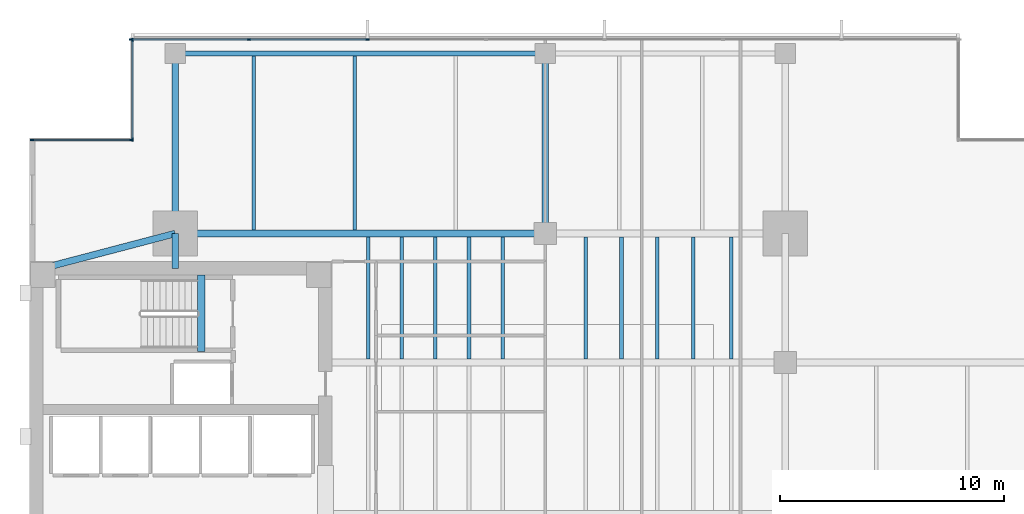
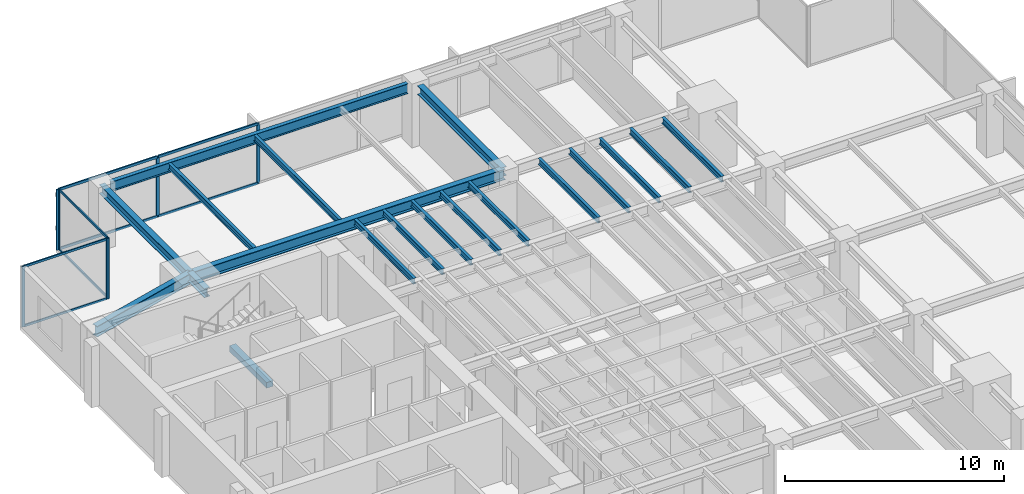
# One storey, part 5 of 14: 19 beams, 15 members, 3 elements without a shape of their own.
"""IFC4 building model written with IfcOpenShell, lengths in metres."""

from ifc_helpers import new_model, si_unit, direction, frame, origin, origin_2d, place, context, subcontext, project, spatial, rectangle, i_section, extrude, material, layer, layer_set, material_profile, profile_set, type_object, element, aggregate, save


model = new_model("IFC4")

# Units and contexts
model_context = context("Model", 3, precision=1e-05, world=origin(), true_north=direction((0.0, 1.0)))
body_context = subcontext(model_context, "Body", "Model", "MODEL_VIEW")
ifc_project = project(units=[si_unit("LENGTHUNIT", "METRE"), si_unit("AREAUNIT", "SQUARE_METRE"), si_unit("VOLUMEUNIT", "CUBIC_METRE"), si_unit("PLANEANGLEUNIT", "RADIAN"), si_unit("MASSUNIT", "GRAM", prefix="KILO")], contexts=[model_context])

# Site, building, storey
site_placement = place(None, origin())
site = spatial("IfcSite", under=ifc_project, at=site_placement, CompositionType="ELEMENT")
building_placement = place(site_placement, origin())
building = spatial("IfcBuilding", under=site, at=building_placement, Name="Kinhvarn Gate Tower", CompositionType="ELEMENT")
storey_placement = place(building_placement, frame((0.0, 0.0, 134.199951171875)))
storey = spatial("IfcBuildingStorey", under=building, at=storey_placement, Name="L35", CompositionType="ELEMENT", Elevation=134.199951171875)

# Beam
ifc_material_1 = material(Name="Concrete C50/60", Category="concrete")
ifc_material_profile_1 = material_profile(ifc_material_1, rectangle(XDim=0.340087890625, YDim=0.320068359375, at=origin_2d()), Name="RC 340x320")
ifc_profile_set_1 = profile_set([ifc_material_profile_1], Name="Concrete C50/60")
beam_type_1 = type_object("IfcBeamType", Name="BM-LND-500", PredefinedType="BEAM", material=ifc_profile_set_1)
beam_1_placement = place(storey_placement, frame((12.1650390625, 32.5, -0.159912109375), z_axis=(0.0, 1.0, 0.0), x_axis=(-1.0, 0.0, 0.0)))
element("IfcBeam", 1, at=beam_1_placement, inside=storey, type_object=beam_type_1, Name="Stair ST2 Landing Nosing Beam (L35)", PredefinedType="BEAM", context=body_context, shape_type="SweptSolid", body=[
    extrude(rectangle(XDim=0.340087890625, YDim=0.320068359375, at=origin_2d()), origin(), (0.0, 0.0, 1.0), 3.39990234375),
])

# Curtain wall, members
ifc_material_2 = material(Name="Anodised aluminium AW-6063", Category="aluminium")
ifc_layer_1 = layer(ifc_material_2, 0.179931640625)
ifc_layer_set_1 = layer_set([ifc_layer_1], Name="Anodised aluminium AW-6063")
curtain_wall_type_1 = type_object("IfcCurtainWallType", Name="CW-SYS-3", PredefinedType="NOTDEFINED", material=ifc_layer_set_1)
curtain_wall_1_placement = place(storey_placement, origin())
curtain_wall_1 = element("IfcCurtainWall", 2, at=curtain_wall_1_placement, inside=storey, type_object=curtain_wall_type_1, Name="Curtain Wall CW3 (L35)", PredefinedType="NOTDEFINED")
ifc_material_profile_2 = material_profile(ifc_material_2, rectangle(XDim=0.06494140625, YDim=0.159912109375, at=origin_2d()), Name="ALU 65x160")
ifc_profile_set_2 = profile_set([ifc_material_profile_2], Name="Anodised aluminium AW-6063")
member_type_1 = type_object("IfcMemberType", Name="CW-MUL-160", PredefinedType="MULLION", material=ifc_profile_set_2)
member_1_placement = place(storey_placement, frame((19.571533203125, 46.409912109375, 0.0), z_axis=(0.0, 0.0, 1.0), x_axis=(0.0, -1.0, 0.0)))
member_1 = element("IfcMember", 3, at=member_1_placement, type_object=member_type_1, Name="CW3 mullion 6", PredefinedType="MULLION", context=body_context, shape_type="SweptSolid", body=[
    extrude(rectangle(XDim=0.06494140625, YDim=0.159912109375, at=origin_2d()), origin(), (0.0, 0.0, 1.0), 3.3701171875),
])
member_2_placement = place(storey_placement, frame((14.28564453125, 46.409912109375, 0.0), z_axis=(0.0, 0.0, 1.0), x_axis=(0.0, -1.0, 0.0)))
member_2 = element("IfcMember", 4, at=member_2_placement, type_object=member_type_1, Name="CW3 mullion 7", PredefinedType="MULLION", context=body_context, shape_type="SweptSolid", body=[
    extrude(rectangle(XDim=0.06494140625, YDim=0.159912109375, at=origin_2d()), origin(), (0.0, 0.0, 1.0), 3.3701171875),
])
member_3_placement = place(storey_placement, frame((9.032470703125, 46.409912109375, 0.0), z_axis=(0.0, 0.0, 1.0), x_axis=(0.0, -1.0, 0.0)))
member_3 = element("IfcMember", 5, at=member_3_placement, type_object=member_type_1, Name="CW3 mullion 8", PredefinedType="MULLION", context=body_context, shape_type="SweptSolid", body=[
    extrude(rectangle(XDim=0.06494140625, YDim=0.159912109375, at=origin_2d()), origin(), (0.0, 0.0, 1.0), 3.3701171875),
])

ifc_layer_2 = layer(ifc_material_2, 0.179931640625)
ifc_layer_set_2 = layer_set([ifc_layer_2], Name="Anodised aluminium AW-6063")
curtain_wall_type_2 = type_object("IfcCurtainWallType", Name="CW-SYS-4", PredefinedType="NOTDEFINED", material=ifc_layer_set_2)
curtain_wall_2_placement = place(storey_placement, origin())
curtain_wall_2 = element("IfcCurtainWall", 6, at=curtain_wall_2_placement, inside=storey, type_object=curtain_wall_type_2, Name="Curtain Wall CW4 (L35)", PredefinedType="NOTDEFINED")
member_4_placement = place(storey_placement, frame((9.090087890625, 46.37744140625, 0.0), z_axis=(0.0, 0.0, 1.0), x_axis=(1.0, 0.0, 0.0)))
member_4 = element("IfcMember", 7, at=member_4_placement, type_object=member_type_1, Name="CW4 mullion 1", PredefinedType="MULLION", context=body_context, shape_type="SweptSolid", body=[
    extrude(rectangle(XDim=0.06494140625, YDim=0.159912109375, at=origin_2d()), origin(), (0.0, 0.0, 1.0), 3.3701171875),
])
member_5_placement = place(storey_placement, frame((9.090087890625, 41.9423828125, 0.0), z_axis=(0.0, 0.0, 1.0), x_axis=(1.0, 0.0, 0.0)))
member_5 = element("IfcMember", 8, at=member_5_placement, type_object=member_type_1, Name="CW4 mullion 2", PredefinedType="MULLION", context=body_context, shape_type="SweptSolid", body=[
    extrude(rectangle(XDim=0.06494140625, YDim=0.159912109375, at=origin_2d()), origin(), (0.0, 0.0, 1.0), 3.3701171875),
])

curtain_wall_3_placement = place(storey_placement, origin())
curtain_wall_3 = element("IfcCurtainWall", 9, at=curtain_wall_3_placement, inside=storey, type_object=curtain_wall_type_2, Name="Curtain Wall CW4 (L35)", PredefinedType="NOTDEFINED")
member_6_placement = place(storey_placement, frame((9.0576171875, 41.909912109375, 0.0), z_axis=(0.0, 0.0, 1.0), x_axis=(0.0, -1.0, 0.0)))
member_6 = element("IfcMember", 10, at=member_6_placement, type_object=member_type_1, Name="CW4 mullion 1", PredefinedType="MULLION", context=body_context, shape_type="SweptSolid", body=[
    extrude(rectangle(XDim=0.06494140625, YDim=0.159912109375, at=origin_2d()), origin(), (0.0, 0.0, 1.0), 3.3701171875),
])
member_7_placement = place(storey_placement, frame((4.62255859375, 41.909912109375, 0.0), z_axis=(0.0, 0.0, 1.0), x_axis=(0.0, -1.0, 0.0)))
member_7 = element("IfcMember", 11, at=member_7_placement, type_object=member_type_1, Name="CW4 mullion 2", PredefinedType="MULLION", context=body_context, shape_type="SweptSolid", body=[
    extrude(rectangle(XDim=0.06494140625, YDim=0.159912109375, at=origin_2d()), origin(), (0.0, 0.0, 1.0), 3.3701171875),
])

# Member
ifc_material_profile_3 = material_profile(ifc_material_2, rectangle(XDim=0.06494140625, YDim=0.1201171875, at=origin_2d()), Name="ALU 65x120")
ifc_profile_set_3 = profile_set([ifc_material_profile_3], Name="Anodised aluminium AW-6063")
member_type_2 = type_object("IfcMemberType", Name="CW-TRN-120", PredefinedType="USERDEFINED", material=ifc_profile_set_3)
member_8_placement = place(storey_placement, frame((9.090087890625, 46.344970703125, 0.032470703125), z_axis=(0.0, -1.0, 0.0), x_axis=(1.0, 0.0, 0.0)))
member_8 = element("IfcMember", 12, at=member_8_placement, type_object=member_type_2, Name="CW4 transom 1.1", ObjectType="TRANSOM", PredefinedType="USERDEFINED", context=body_context, shape_type="SweptSolid", body=[
    extrude(rectangle(XDim=0.06494140625, YDim=0.1201171875, at=origin_2d()), origin(), (0.0, 0.0, 1.0), 4.369873046875),
])

member_9_placement = place(storey_placement, frame((9.090087890625, 46.344970703125, 3.337646484375), z_axis=(0.0, -1.0, 0.0), x_axis=(1.0, 0.0, 0.0)))
member_9 = element("IfcMember", 13, at=member_9_placement, type_object=member_type_2, Name="CW4 transom 1.2", ObjectType="TRANSOM", PredefinedType="USERDEFINED", context=body_context, shape_type="SweptSolid", body=[
    extrude(rectangle(XDim=0.06494140625, YDim=0.1201171875, at=origin_2d()), origin(), (0.0, 0.0, 1.0), 4.369873046875),
])

aggregate(curtain_wall_2, [member_4, member_5, member_8, member_9])

member_10_placement = place(storey_placement, frame((9.02490234375, 41.909912109375, 0.032470703125), z_axis=(-1.0, 0.0, 0.0), x_axis=(0.0, -1.0, 0.0)))
member_10 = element("IfcMember", 14, at=member_10_placement, type_object=member_type_2, Name="CW4 transom 1.1", ObjectType="TRANSOM", PredefinedType="USERDEFINED", context=body_context, shape_type="SweptSolid", body=[
    extrude(rectangle(XDim=0.06494140625, YDim=0.1201171875, at=origin_2d()), origin(), (0.0, 0.0, 1.0), 4.369873046875),
])

member_11_placement = place(storey_placement, frame((9.02490234375, 41.909912109375, 3.337646484375), z_axis=(-1.0, 0.0, 0.0), x_axis=(0.0, -1.0, 0.0)))
member_11 = element("IfcMember", 15, at=member_11_placement, type_object=member_type_2, Name="CW4 transom 1.2", ObjectType="TRANSOM", PredefinedType="USERDEFINED", context=body_context, shape_type="SweptSolid", body=[
    extrude(rectangle(XDim=0.06494140625, YDim=0.1201171875, at=origin_2d()), origin(), (0.0, 0.0, 1.0), 4.369873046875),
])

aggregate(curtain_wall_3, [member_6, member_7, member_10, member_11])

ifc_material_profile_4 = material_profile(ifc_material_2, rectangle(XDim=0.070068359375, YDim=0.139892578125, at=origin_2d()), Name="ALU 70x140")
ifc_profile_set_4 = profile_set([ifc_material_profile_4], Name="Anodised aluminium AW-6063")
member_type_3 = type_object("IfcMemberType", Name="CW-TRN-140", PredefinedType="USERDEFINED", material=ifc_profile_set_4)
member_12_placement = place(storey_placement, frame((19.538818359375, 46.409912109375, 0.03515625), z_axis=(-1.0, 0.0, 0.0), x_axis=(0.0, -1.0, 0.0)))
member_12 = element("IfcMember", 16, at=member_12_placement, type_object=member_type_3, Name="CW3 transom 6.1", ObjectType="TRANSOM", PredefinedType="USERDEFINED", context=body_context, shape_type="SweptSolid", body=[
    extrude(rectangle(XDim=0.070068359375, YDim=0.139892578125, at=origin_2d()), origin(), (0.0, 0.0, 1.0), 5.220703125),
])

member_13_placement = place(storey_placement, frame((19.538818359375, 46.409912109375, 3.3349609375), z_axis=(-1.0, 0.0, 0.0), x_axis=(0.0, -1.0, 0.0)))
member_13 = element("IfcMember", 17, at=member_13_placement, type_object=member_type_3, Name="CW3 transom 6.2", ObjectType="TRANSOM", PredefinedType="USERDEFINED", context=body_context, shape_type="SweptSolid", body=[
    extrude(rectangle(XDim=0.070068359375, YDim=0.139892578125, at=origin_2d()), origin(), (0.0, 0.0, 1.0), 5.220703125),
])

member_14_placement = place(storey_placement, frame((14.253173828125, 46.409912109375, 0.03515625), z_axis=(-1.0, 0.0, 0.0), x_axis=(0.0, -1.0, 0.0)))
member_14 = element("IfcMember", 18, at=member_14_placement, type_object=member_type_3, Name="CW3 transom 7.1", ObjectType="TRANSOM", PredefinedType="USERDEFINED", context=body_context, shape_type="SweptSolid", body=[
    extrude(rectangle(XDim=0.070068359375, YDim=0.139892578125, at=origin_2d()), origin(), (0.0, 0.0, 1.0), 5.188232421875),
])

member_15_placement = place(storey_placement, frame((14.253173828125, 46.409912109375, 3.3349609375), z_axis=(-1.0, 0.0, 0.0), x_axis=(0.0, -1.0, 0.0)))
member_15 = element("IfcMember", 19, at=member_15_placement, type_object=member_type_3, Name="CW3 transom 7.2", ObjectType="TRANSOM", PredefinedType="USERDEFINED", context=body_context, shape_type="SweptSolid", body=[
    extrude(rectangle(XDim=0.070068359375, YDim=0.139892578125, at=origin_2d()), origin(), (0.0, 0.0, 1.0), 5.188232421875),
])

aggregate(curtain_wall_1, [member_1, member_2, member_3, member_12, member_13, member_14, member_15])

# Beams
ifc_material_3 = material(Name="Steel S355", Category="steel")
ifc_material_profile_5 = material_profile(ifc_material_3, i_section(OverallWidth=0.300048828125, OverallDepth=0.5, WebThickness=0.014404296875, FlangeThickness=0.028076171875, at=origin_2d()), Name="HEB 500")
ifc_profile_set_5 = profile_set([ifc_material_profile_5], Name="Steel S355")
beam_type_2 = type_object("IfcBeamType", Name="STL-HEB500", PredefinedType="BEAM", material=ifc_profile_set_5)
beam_2_placement = place(storey_placement, frame((11.0, 36.199951171875, 3.1201171875), z_axis=(0.0, 1.0, 0.0), x_axis=(-1.0, 0.0, 0.0)))
element("IfcBeam", 20, at=beam_2_placement, inside=storey, type_object=beam_type_2, Name="Floor Beam PG-14 (L35 MCW-CN)", PredefinedType="BEAM", context=body_context, shape_type="SweptSolid", body=[
    extrude(i_section(OverallWidth=0.300048828125, OverallDepth=0.5, WebThickness=0.014404296875, FlangeThickness=0.028076171875, at=origin_2d()), origin(), (0.0, 0.0, 1.0), 1.550048828125),
])
beam_3_placement = place(storey_placement, frame((11.0, 37.75, 3.1201171875), z_axis=(0.0, 1.0, 0.0), x_axis=(-1.0, 0.0, 0.0)))
element("IfcBeam", 21, at=beam_3_placement, inside=storey, type_object=beam_type_2, Name="Floor Beam PG-14 (L35 MCW-N)", PredefinedType="BEAM", context=body_context, shape_type="SweptSolid", body=[
    extrude(i_section(OverallWidth=0.300048828125, OverallDepth=0.5, WebThickness=0.014404296875, FlangeThickness=0.028076171875, at=origin_2d()), origin(), (0.0, 0.0, 1.0), 8.030029296875),
])
beam_4_placement = place(storey_placement, frame((27.5, 37.75, 3.1201171875), z_axis=(0.0, 1.0, 0.0), x_axis=(-1.0, 0.0, 0.0)))
element("IfcBeam", 22, at=beam_4_placement, inside=storey, type_object=beam_type_2, Name="Floor Beam PG-14 (L35 SP27-N-TIE)", PredefinedType="BEAM", context=body_context, shape_type="SweptSolid", body=[
    extrude(i_section(OverallWidth=0.300048828125, OverallDepth=0.5, WebThickness=0.014404296875, FlangeThickness=0.028076171875, at=origin_2d()), origin(), (0.0, 0.0, 1.0), 7.594970703125),
])
ifc_material_profile_6 = material_profile(ifc_material_3, i_section(OverallWidth=0.300048828125, OverallDepth=0.60009765625, WebThickness=0.015380859375, FlangeThickness=0.030029296875, at=origin_2d()), Name="HEB 600")
ifc_profile_set_6 = profile_set([ifc_material_profile_6], Name="Steel S355")
beam_type_3 = type_object("IfcBeamType", Name="STL-HEB600", PredefinedType="BEAM", material=ifc_profile_set_6)
beam_5_placement = place(storey_placement, frame((11.0, 37.75, 3.070068359375), z_axis=(1.0, 0.0, 0.0), x_axis=(0.0, 1.0, 0.0)))
element("IfcBeam", 23, at=beam_5_placement, inside=storey, type_object=beam_type_3, Name="Floor Beam PG-16 (L35 MG-N1)", PredefinedType="BEAM", context=body_context, shape_type="SweptSolid", body=[
    extrude(i_section(OverallWidth=0.300048828125, OverallDepth=0.60009765625, WebThickness=0.015380859375, FlangeThickness=0.030029296875, at=origin_2d()), origin(), (0.0, 0.0, 1.0), 16.5),
])
beam_6_placement = place(storey_placement, frame((5.10009765625, 36.199951171875, 3.070068359375), z_axis=(0.967177623957, 0.254101246979, 0.0), x_axis=(-0.254101246979, 0.967177623957, 0.0)))
element("IfcBeam", 24, at=beam_6_placement, inside=storey, type_object=beam_type_3, Name="Floor Beam PG-16 (L35 MG-NW-DIAG)", PredefinedType="BEAM", context=body_context, shape_type="SweptSolid", body=[
    extrude(i_section(OverallWidth=0.300048828125, OverallDepth=0.60009765625, WebThickness=0.015380859375, FlangeThickness=0.030029296875, at=origin_2d()), origin(), (0.0, 0.0, 1.0), 6.10009765625),
])
ifc_material_profile_7 = material_profile(ifc_material_3, i_section(OverallWidth=0.159912109375, OverallDepth=0.330078125, WebThickness=0.007568359375, FlangeThickness=0.011474609375, at=origin_2d()), Name="IPE 330")
ifc_profile_set_7 = profile_set([ifc_material_profile_7], Name="Steel S355")
beam_type_4 = type_object("IfcBeamType", Name="STL-IPE330", PredefinedType="JOIST", material=ifc_profile_set_7)
for number, where, z_axis, x_axis, name in (
    (25, (19.60009765625, 32.14990234375, 3.205078125), (0.0, 1.0, 0.0), (-1.0, 0.0, 0.0), "Floor Joist SB-03 (L35 JC-X196-3)"),
    (26, (21.10009765625, 32.14990234375, 3.205078125), (0.0, 1.0, 0.0), (-1.0, 0.0, 0.0), "Floor Joist SB-03 (L35 JC-X211-3)"),
    (27, (22.60009765625, 32.14990234375, 3.205078125), (0.0, 1.0, 0.0), (-1.0, 0.0, 0.0), "Floor Joist SB-03 (L35 JC-X226-3)"),
    (28, (24.10009765625, 32.14990234375, 3.205078125), (0.0, 1.0, 0.0), (-1.0, 0.0, 0.0), "Floor Joist SB-03 (L35 JC-X241-3)"),
    (29, (25.60009765625, 32.14990234375, 3.205078125), (0.0, 1.0, 0.0), (-1.0, 0.0, 0.0), "Floor Joist SB-03 (L35 JC-X256-3)"),
    (30, (29.300048828125, 32.14990234375, 3.205078125), (0.0, 1.0, 0.0), (-1.0, 0.0, 0.0), "Floor Joist SB-03 (L35 JC-X293-3)"),
    (31, (30.89990234375, 32.14990234375, 3.205078125), (0.0, 1.0, 0.0), (-1.0, 0.0, 0.0), "Floor Joist SB-03 (L35 JC-X309-3)"),
    (32, (32.5, 32.14990234375, 3.205078125), (0.0, 1.0, 0.0), (-1.0, 0.0, 0.0), "Floor Joist SB-03 (L35 JC-X325-3)"),
    (33, (34.10009765625, 32.14990234375, 3.205078125), (0.0, 1.0, 0.0), (-1.0, 0.0, 0.0), "Floor Joist SB-03 (L35 JC-X341-3)"),
    (34, (35.800048828125, 32.14990234375, 3.205078125), (0.0, 1.0, 0.0), (-1.0, 0.0, 0.0), "Floor Joist SB-03 (L35 JC-X358-3)"),
):
    element("IfcBeam", number, at=place(storey_placement, frame(where, z_axis=z_axis, x_axis=x_axis)), inside=storey, type_object=beam_type_4, Name=name, PredefinedType="JOIST", context=body_context, shape_type="SweptSolid", body=[
        extrude(i_section(OverallWidth=0.159912109375, OverallDepth=0.330078125, WebThickness=0.007568359375, FlangeThickness=0.011474609375, at=origin_2d()), origin(), (0.0, 0.0, 1.0), 5.4501953125),
    ])
for number, where, z_axis, x_axis, name in (
    (35, (14.5, 37.89990234375, 3.205078125), (0.0, 1.0, 0.0), (-1.0, 0.0, 0.0), "Floor Joist SB-03 (L35 JN-X145)"),
    (36, (19.0, 37.89990234375, 3.205078125), (0.0, 1.0, 0.0), (-1.0, 0.0, 0.0), "Floor Joist SB-03 (L35 JN-X190)"),
):
    element("IfcBeam", number, at=place(storey_placement, frame(where, z_axis=z_axis, x_axis=x_axis)), inside=storey, type_object=beam_type_4, Name=name, PredefinedType="JOIST", context=body_context, shape_type="SweptSolid", body=[
        extrude(i_section(OverallWidth=0.159912109375, OverallDepth=0.330078125, WebThickness=0.007568359375, FlangeThickness=0.011474609375, at=origin_2d()), origin(), (0.0, 0.0, 1.0), 7.775146484375),
    ])
ifc_material_profile_8 = material_profile(ifc_material_3, i_section(OverallWidth=0.2099609375, OverallDepth=0.550048828125, WebThickness=0.010986328125, FlangeThickness=0.01708984375, at=origin_2d()), Name="IPE 550")
ifc_profile_set_8 = profile_set([ifc_material_profile_8], Name="Steel S355")
beam_type_5 = type_object("IfcBeamType", Name="STL-IPE550", PredefinedType="SPANDREL", material=ifc_profile_set_8)
beam_7_placement = place(storey_placement, frame((11.43505859375, 45.780029296875, 3.094970703125), z_axis=(1.0, 0.0, 0.0), x_axis=(0.0, 1.0, 0.0)))
element("IfcBeam", 37, at=beam_7_placement, inside=storey, type_object=beam_type_5, Name="Floor Spandrel SB-08 (L35 SP-N1)", PredefinedType="SPANDREL", context=body_context, shape_type="SweptSolid", body=[
    extrude(i_section(OverallWidth=0.2099609375, OverallDepth=0.550048828125, WebThickness=0.010986328125, FlangeThickness=0.01708984375, at=origin_2d()), origin(), (0.0, 0.0, 1.0), 15.6298828125),
])

save(model, "model.ifc")
